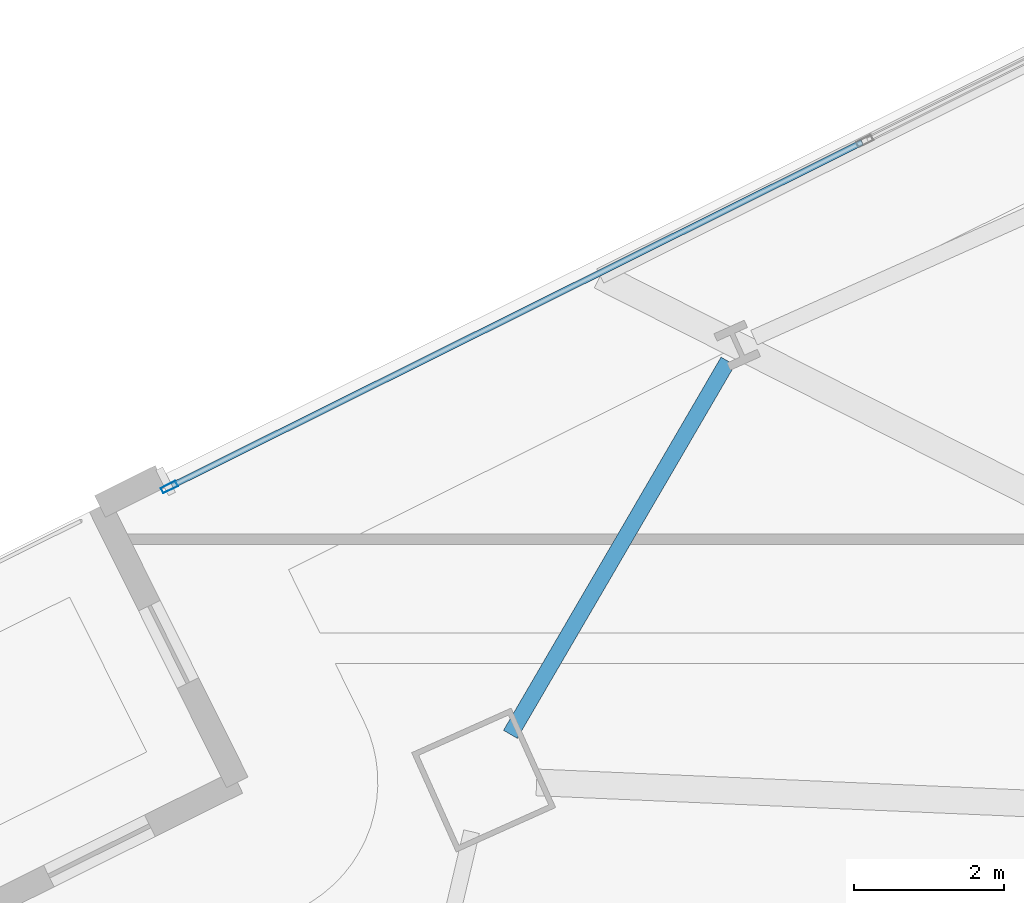
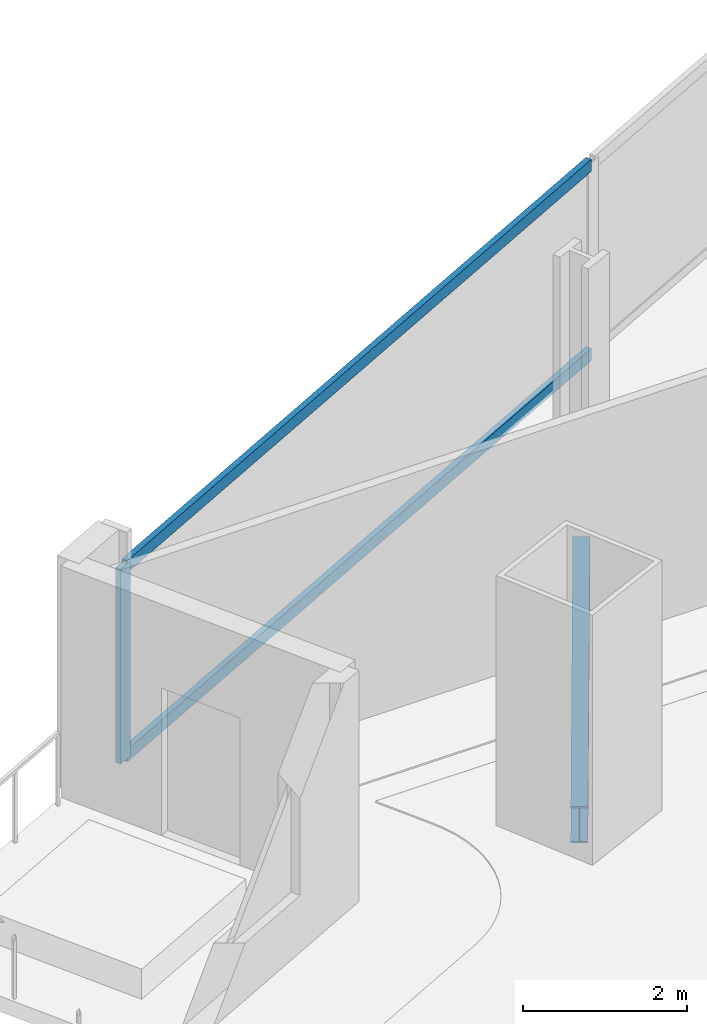
# One storey, part 15 of 35: 3 members, 1 beam, 1 element without a shape of its own.
"""IFC4 building model written with IfcOpenShell, lengths in metres."""

from ifc_helpers import new_model, si_unit, direction, frame, origin, origin_2d, place, context, subcontext, project, spatial, hollow_rectangle, i_section, extrude, material, material_profile, profile_set, type_object, element, aggregate, save


model = new_model("IFC4")

# Units and contexts
model_context = context("Model", 3, precision=1e-05, world=origin(), true_north=direction((0.0, 1.0)))
body_context = subcontext(model_context, "Body", "Model", "MODEL_VIEW")
ifc_project = project(units=[si_unit("LENGTHUNIT", "METRE"), si_unit("AREAUNIT", "SQUARE_METRE"), si_unit("VOLUMEUNIT", "CUBIC_METRE"), si_unit("PLANEANGLEUNIT", "RADIAN"), si_unit("MASSUNIT", "GRAM", prefix="KILO")], contexts=[model_context])

# Site, building, storey
site_placement = place(None, origin())
site = spatial("IfcSite", under=ifc_project, at=site_placement, CompositionType="ELEMENT")
building_placement = place(site_placement, origin())
building = spatial("IfcBuilding", under=site, at=building_placement, Name="Haldenkirk Collegiate Tower", CompositionType="ELEMENT")
storey_placement = place(building_placement, frame((0.0, 0.0, 116.699951171875)))
storey = spatial("IfcBuildingStorey", under=building, at=storey_placement, Name="L28", CompositionType="ELEMENT", Elevation=116.699951171875)

# Beam
ifc_material_1 = material(Name="Steel ASTM A992 Grade 50", Category="steel")
ifc_material_profile_1 = material_profile(ifc_material_1, i_section(OverallWidth=0.2119140625, OverallDepth=0.5439453125, WebThickness=0.01318359375, FlangeThickness=0.021240234375, at=origin_2d()), Name="W21X83")
ifc_profile_set_1 = profile_set([ifc_material_profile_1], Name="Steel ASTM A992 Grade 50")
beam_type = type_object("IfcBeamType", Name="BM-SPANDREL-W21X83", PredefinedType="SPANDREL", material=ifc_profile_set_1)
beam_placement = place(storey_placement, frame((14.035888671875, 40.27001953125, -0.572021484375), z_axis=(-0.503649179098, -0.863908273137, 0.0), x_axis=(0.863908273137, -0.503649179098, 0.0)))
element("IfcBeam", 1, at=beam_placement, inside=storey, type_object=beam_type, Name="L28 perimeter spandrel beam 12", PredefinedType="SPANDREL", context=body_context, shape_type="SweptSolid", body=[
    extrude(i_section(OverallWidth=0.2119140625, OverallDepth=0.5439453125, WebThickness=0.01318359375, FlangeThickness=0.021240234375, at=origin_2d()), origin(), (0.0, 0.0, 1.0), 5.748046875),
])

# Curtain wall, members
ifc_material_2 = material(Name="Anodised architectural bronze aluminium", Category="aluminium")
curtain_wall_type = type_object("IfcCurtainWallType", Name="CW-SYS1-CONVEX-LOW", PredefinedType="USERDEFINED", material=ifc_material_2)
curtain_wall_placement = place(storey_placement, origin())
curtain_wall = element("IfcCurtainWall", 2, at=curtain_wall_placement, inside=storey, type_object=curtain_wall_type, Name="L28 Lower tower convex bronze-framed unitised curtain wall", ObjectType="UNITISED CURTAIN WALL", PredefinedType="USERDEFINED")
ifc_material_profile_2 = material_profile(ifc_material_2, hollow_rectangle(XDim=0.080078125, YDim=0.219970703125, WallThickness=0.0048828125, at=origin_2d()), Name="CW-MUL-1A")
ifc_profile_set_2 = profile_set([ifc_material_profile_2], Name="Anodised architectural bronze aluminium")
member_type_1 = type_object("IfcMemberType", Name="CW-MUL-1A", PredefinedType="MULLION", material=ifc_profile_set_2)
member_1_placement = place(storey_placement, frame((6.60302734375, 38.594482421875, 0.0), z_axis=(0.0, 0.0, 1.0), x_axis=(-0.445417030937, 0.895323220156, 0.0)))
member_1 = element("IfcMember", 3, at=member_1_placement, type_object=member_type_1, Name="CW-1A mullion 1", PredefinedType="MULLION", context=body_context, shape_type="SweptSolid", body=[
    extrude(hollow_rectangle(XDim=0.080078125, YDim=0.219970703125, WallThickness=0.0048828125, at=origin_2d()), origin(), (0.0, 0.0, 1.0), 2.901123046875),
])
ifc_material_profile_3 = material_profile(ifc_material_2, hollow_rectangle(XDim=0.080078125, YDim=0.179931640625, WallThickness=0.0048828125, at=origin_2d()), Name="CW-TRN-1A")
ifc_profile_set_3 = profile_set([ifc_material_profile_3], Name="Anodised architectural bronze aluminium")
member_type_2 = type_object("IfcMemberType", Name="CW-TRN-1A", PredefinedType="USERDEFINED", material=ifc_profile_set_3)
member_2_placement = place(storey_placement, frame((6.638916015625, 38.6123046875, 0.0400390625), z_axis=(0.895330023298, 0.445403355826, 0.0), x_axis=(-0.445403355826, 0.895330023298, 0.0)))
member_2 = element("IfcMember", 4, at=member_2_placement, type_object=member_type_2, Name="CW-1A transom 1.1", ObjectType="TRANSOM", PredefinedType="USERDEFINED", context=body_context, shape_type="SweptSolid", body=[
    extrude(hollow_rectangle(XDim=0.080078125, YDim=0.179931640625, WallThickness=0.0048828125, at=origin_2d()), origin(), (0.0, 0.0, 1.0), 10.255126953125),
])
member_3_placement = place(storey_placement, frame((6.638916015625, 38.6123046875, 2.861083984375), z_axis=(0.895330023298, 0.445403355826, 0.0), x_axis=(-0.445403355826, 0.895330023298, 0.0)))
member_3 = element("IfcMember", 5, at=member_3_placement, type_object=member_type_2, Name="CW-1A transom 1.2", ObjectType="TRANSOM", PredefinedType="USERDEFINED", context=body_context, shape_type="SweptSolid", body=[
    extrude(hollow_rectangle(XDim=0.080078125, YDim=0.179931640625, WallThickness=0.0048828125, at=origin_2d()), origin(), (0.0, 0.0, 1.0), 10.255126953125),
])
aggregate(curtain_wall, [member_1, member_2, member_3])

save(model, "model.ifc")
